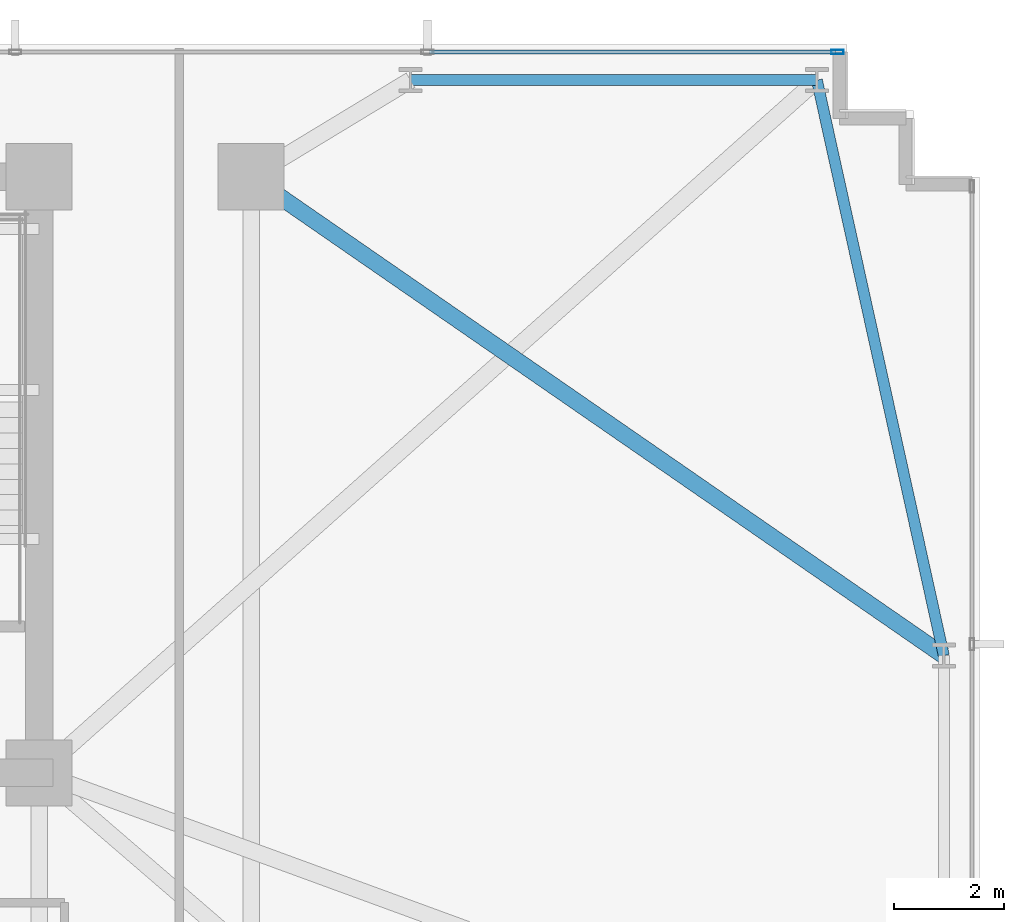
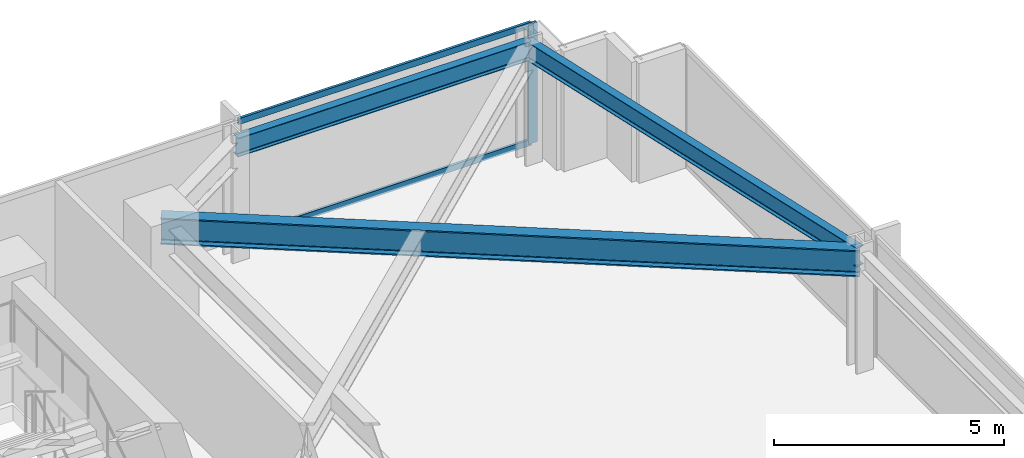
# One storey, part 20 of 31: 3 beams, 3 members, 1 element without a shape of its own.
"""IFC4 building model written with IfcOpenShell, lengths in metres."""

from ifc_helpers import new_model, si_unit, direction, frame, origin, origin_2d, place, context, subcontext, project, spatial, hollow_rectangle, i_section, extrude, material, material_profile, profile_set, type_object, element, aggregate, save


model = new_model("IFC4")

# Units and contexts
model_context = context("Model", 3, precision=1e-05, world=origin(), true_north=direction((0.0, 1.0)))
body_context = subcontext(model_context, "Body", "Model", "MODEL_VIEW")
ifc_project = project(units=[si_unit("LENGTHUNIT", "METRE"), si_unit("AREAUNIT", "SQUARE_METRE"), si_unit("VOLUMEUNIT", "CUBIC_METRE"), si_unit("PLANEANGLEUNIT", "RADIAN"), si_unit("MASSUNIT", "GRAM", prefix="KILO")], contexts=[model_context])

# Site, building, storey
site_placement = place(None, origin())
site = spatial("IfcSite", under=ifc_project, at=site_placement, CompositionType="ELEMENT")
building_placement = place(site_placement, origin())
building = spatial("IfcBuilding", under=site, at=building_placement, Name="Yelkora Congress Tower", CompositionType="ELEMENT")
storey_placement = place(building_placement, frame((0.0, 0.0, 30.39990234375)))
storey = spatial("IfcBuildingStorey", under=building, at=storey_placement, Name="L06", CompositionType="ELEMENT", Elevation=30.39990234375)

# Beams
ifc_material_1 = material(Name="Steel S355J2", Category="steel")
ifc_material_profile_1 = material_profile(ifc_material_1, i_section(OverallWidth=0.300048828125, OverallDepth=0.699951171875, WebThickness=0.01708984375, FlangeThickness=0.031982421875, FilletRadius=0.027099609375, at=origin_2d()), Name="HEB 700")
ifc_profile_set_1 = profile_set([ifc_material_profile_1], Name="Steel S355J2")
beam_type_1 = type_object("IfcBeamType", Name="BM-GIRD-HEB700", PredefinedType="BEAM", material=ifc_profile_set_1)
beam_1_placement = place(storey_placement, frame((70.14990234375, 37.52490234375, 2.830078125), z_axis=(-0.822599280139, 0.568621512357, 0.0), x_axis=(-0.568621512357, -0.822599280139, 0.0)))
element("IfcBeam", 1, at=beam_1_placement, inside=storey, type_object=beam_type_1, Name="L06 Primary Frame Girder E03", PredefinedType="BEAM", context=body_context, shape_type="SweptSolid", body=[
    extrude(i_section(OverallWidth=0.300048828125, OverallDepth=0.699951171875, WebThickness=0.01708984375, FlangeThickness=0.031982421875, FilletRadius=0.027099609375, at=origin_2d()), origin(), (0.0, 0.0, 1.0), 15.25634765625),
])
ifc_material_profile_2 = material_profile(ifc_material_1, i_section(OverallWidth=0.199951171875, OverallDepth=0.5, WebThickness=0.01025390625, FlangeThickness=0.01611328125, FilletRadius=0.02099609375, at=origin_2d()), Name="IPE 500")
ifc_profile_set_2 = profile_set([ifc_material_profile_2], Name="Steel S355J2")
beam_type_2 = type_object("IfcBeamType", Name="BM-SPAN-IPE500", PredefinedType="SPANDREL", material=ifc_profile_set_2)
beam_2_placement = place(storey_placement, frame((70.14990234375, 37.52490234375, 2.93017578125), z_axis=(-0.215424087425, 0.97652058993, 0.0), x_axis=(-0.97652058993, -0.215424087425, 0.0)))
element("IfcBeam", 2, at=beam_2_placement, inside=storey, type_object=beam_type_2, Name="L06 Perimeter Beam 13", PredefinedType="SPANDREL", context=body_context, shape_type="SweptSolid", body=[
    extrude(i_section(OverallWidth=0.199951171875, OverallDepth=0.5, WebThickness=0.01025390625, FlangeThickness=0.01611328125, FilletRadius=0.02099609375, at=origin_2d()), origin(), (0.0, 0.0, 1.0), 10.67578125),
])
beam_3_placement = place(storey_placement, frame((67.85009765625, 47.949951171875, 2.93017578125), z_axis=(-1.0, 0.0, 0.0), x_axis=(0.0, -1.0, 0.0)))
element("IfcBeam", 3, at=beam_3_placement, inside=storey, type_object=beam_type_2, Name="L06 Perimeter Beam 14", PredefinedType="SPANDREL", context=body_context, shape_type="SweptSolid", body=[
    extrude(i_section(OverallWidth=0.199951171875, OverallDepth=0.5, WebThickness=0.01025390625, FlangeThickness=0.01611328125, FilletRadius=0.02099609375, at=origin_2d()), origin(), (0.0, 0.0, 1.0), 7.362548828125),
])

# Curtain wall, members
ifc_material_2 = material(Name="Anodised aluminium and insulated glass", Category="aluminium")
curtain_wall_type = type_object("IfcCurtainWallType", Name="CW-SYS-B1", PredefinedType="NOTDEFINED", material=ifc_material_2)
curtain_wall_placement = place(storey_placement, origin())
curtain_wall = element("IfcCurtainWall", 4, at=curtain_wall_placement, inside=storey, type_object=curtain_wall_type, Name="L06 Unitised Curtain Wall 10", PredefinedType="NOTDEFINED")
ifc_material_3 = material(Name="Anodised aluminium 6063-T6", Category="aluminium")
ifc_material_profile_3 = material_profile(ifc_material_3, hollow_rectangle(XDim=0.074951171875, YDim=0.219970703125, WallThickness=0.0048828125, at=origin_2d()), Name="ALU 75x220x5")
ifc_profile_set_3 = profile_set([ifc_material_profile_3], Name="Anodised aluminium 6063-T6")
member_type_1 = type_object("IfcMemberType", Name="MEM-ML-B1", PredefinedType="MULLION", material=ifc_profile_set_3)
member_1_placement = place(storey_placement, frame((68.222412109375, 48.4599609375, 0.0), z_axis=(0.0, 0.0, 1.0), x_axis=(0.0, 1.0, 0.0)))
member_1 = element("IfcMember", 5, at=member_1_placement, type_object=member_type_1, Name="CW-B1 mullion 9", PredefinedType="MULLION", context=body_context, shape_type="SweptSolid", body=[
    extrude(hollow_rectangle(XDim=0.074951171875, YDim=0.219970703125, WallThickness=0.0048828125, at=origin_2d()), origin(), (0.0, 0.0, 1.0), 3.18017578125),
])
ifc_material_profile_4 = material_profile(ifc_material_3, hollow_rectangle(XDim=0.06494140625, YDim=0.159912109375, WallThickness=0.00390625, at=origin_2d()), Name="ALU 65x160x4")
ifc_profile_set_4 = profile_set([ifc_material_profile_4], Name="Anodised aluminium 6063-T6")
member_type_2 = type_object("IfcMemberType", Name="MEM-TR-B1", PredefinedType="USERDEFINED", material=ifc_profile_set_4)
member_2_placement = place(storey_placement, frame((60.83251953125, 48.4599609375, 0.03271484375), z_axis=(1.0, 0.0, 0.0), x_axis=(0.0, 1.0, 0.0)))
member_2 = element("IfcMember", 6, at=member_2_placement, type_object=member_type_2, Name="CW-B1 transom 8.1", ObjectType="TRANSOM", PredefinedType="USERDEFINED", context=body_context, shape_type="SweptSolid", body=[
    extrude(hollow_rectangle(XDim=0.06494140625, YDim=0.159912109375, WallThickness=0.00390625, at=origin_2d()), origin(), (0.0, 0.0, 1.0), 7.3525390625),
])
member_3_placement = place(storey_placement, frame((60.83251953125, 48.4599609375, 3.147705078125), z_axis=(1.0, 0.0, 0.0), x_axis=(0.0, 1.0, 0.0)))
member_3 = element("IfcMember", 7, at=member_3_placement, type_object=member_type_2, Name="CW-B1 transom 8.2", ObjectType="TRANSOM", PredefinedType="USERDEFINED", context=body_context, shape_type="SweptSolid", body=[
    extrude(hollow_rectangle(XDim=0.06494140625, YDim=0.159912109375, WallThickness=0.00390625, at=origin_2d()), origin(), (0.0, 0.0, 1.0), 7.3525390625),
])
aggregate(curtain_wall, [member_1, member_2, member_3])

save(model, "model.ifc")
